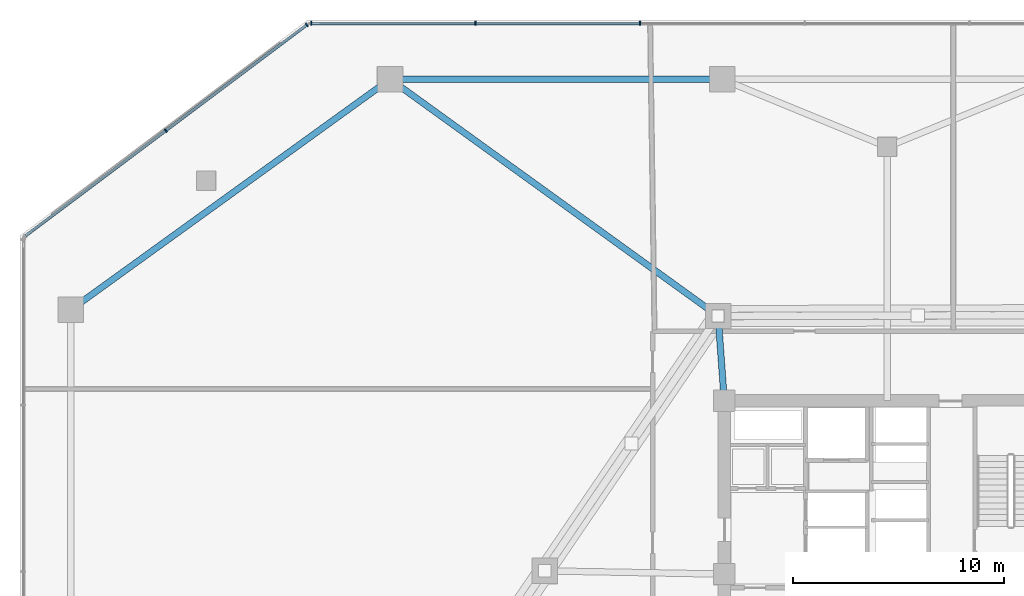
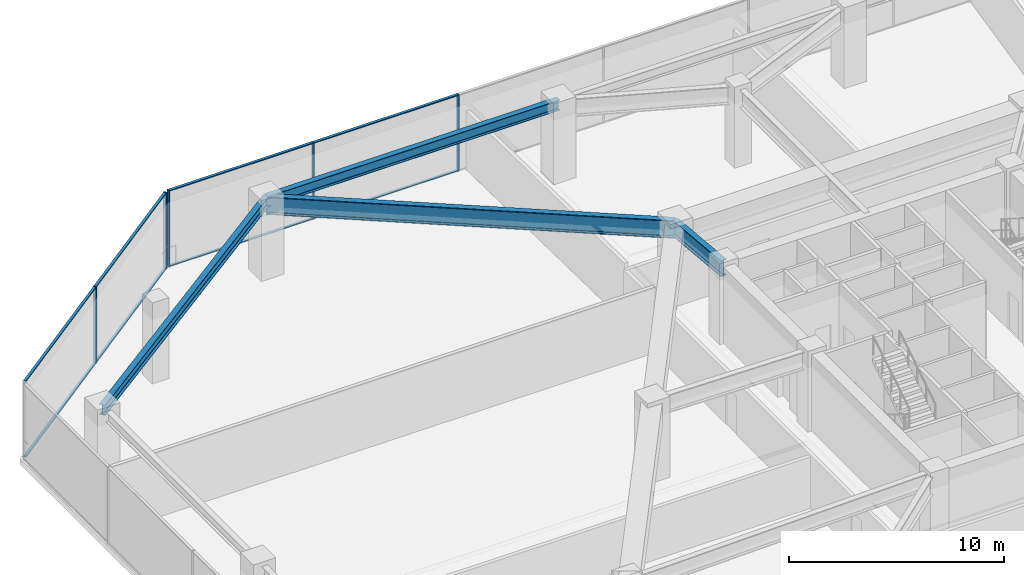
# One storey, part 8 of 23: 13 members, 4 beams, 2 elements without a shape of their own.
"""IFC4 building model written with IfcOpenShell, lengths in metres."""

from ifc_helpers import new_model, si_unit, direction, frame, origin, origin_2d, place, context, subcontext, project, spatial, rectangle, i_section, extrude, material, material_profile, profile_set, type_object, element, aggregate, save


model = new_model("IFC4")

# Units and contexts
model_context = context("Model", 3, precision=1e-05, world=origin(), true_north=direction((0.0, 1.0)))
body_context = subcontext(model_context, "Body", "Model", "MODEL_VIEW")
ifc_project = project(units=[si_unit("LENGTHUNIT", "METRE"), si_unit("AREAUNIT", "SQUARE_METRE"), si_unit("VOLUMEUNIT", "CUBIC_METRE"), si_unit("PLANEANGLEUNIT", "RADIAN"), si_unit("MASSUNIT", "GRAM", prefix="KILO")], contexts=[model_context])

# Site, building, storey
site_placement = place(None, origin())
site = spatial("IfcSite", under=ifc_project, at=site_placement, CompositionType="ELEMENT")
building_placement = place(site_placement, origin())
building = spatial("IfcBuilding", under=site, at=building_placement, Name="Savorim Split Tower", CompositionType="ELEMENT")
storey_placement = place(building_placement, frame((0.0, 0.0, 21.800048828125)))
storey = spatial("IfcBuildingStorey", under=building, at=storey_placement, Name="L05", CompositionType="ELEMENT", Elevation=21.800048828125)

# Beams
ifc_material_1 = material(Name="Steel S355", Category="steel")
ifc_material_profile_1 = material_profile(ifc_material_1, i_section(OverallWidth=0.300048828125, OverallDepth=0.590087890625, WebThickness=0.012939453125, FlangeThickness=0.02490234375, FilletRadius=0.027099609375, at=origin_2d()), Name="HEA 600")
ifc_profile_set_1 = profile_set([ifc_material_profile_1], Name="Steel S355")
beam_type_1 = type_object("IfcBeamType", Name="BM-SPN-HEA600", PredefinedType="SPANDREL", material=ifc_profile_set_1)
beam_1_placement = place(storey_placement, frame((-7.800048828125, 25.39990234375, 4.054931640625), z_axis=(-1.0, 0.0, 0.0), x_axis=(0.0, -1.0, 0.0)))
element("IfcBeam", 1, at=beam_1_placement, inside=storey, type_object=beam_type_1, Name="L05 Podium Spandrel Beam 8", PredefinedType="SPANDREL", context=body_context, shape_type="SweptSolid", body=[
    extrude(i_section(OverallWidth=0.300048828125, OverallDepth=0.590087890625, WebThickness=0.012939453125, FlangeThickness=0.02490234375, FilletRadius=0.027099609375, at=origin_2d()), origin(), (0.0, 0.0, 1.0), 15.699951171875),
])
beam_2_placement = place(storey_placement, frame((-23.5, 25.39990234375, 4.054931640625), z_axis=(-0.810825083438, -0.585288547699, 0.0), x_axis=(0.585288547699, -0.810825083438, 0.0)))
element("IfcBeam", 2, at=beam_2_placement, inside=storey, type_object=beam_type_1, Name="L05 Podium Spandrel Beam 9", PredefinedType="SPANDREL", context=body_context, shape_type="SweptSolid", body=[
    extrude(i_section(OverallWidth=0.300048828125, OverallDepth=0.590087890625, WebThickness=0.012939453125, FlangeThickness=0.02490234375, FilletRadius=0.027099609375, at=origin_2d()), origin(), (0.0, 0.0, 1.0), 18.623046875),
])
ifc_material_2 = material(Name="Steel S460", Category="steel")
ifc_material_profile_2 = material_profile(ifc_material_2, i_section(OverallWidth=0.302001953125, OverallDepth=1.008056640625, WebThickness=0.02099609375, FlangeThickness=0.0400390625, FilletRadius=0.030029296875, at=origin_2d()), Name="HE 1000 M")
ifc_profile_set_2 = profile_set([ifc_material_profile_2], Name="Steel S460")
beam_type_2 = type_object("IfcBeamType", Name="BM-TRF-HEM1000", PredefinedType="BEAM", material=ifc_profile_set_2)
beam_3_placement = place(storey_placement, frame((-23.5, 25.39990234375, 3.845947265625), z_axis=(0.810720623397, -0.585433233426, 0.0), x_axis=(0.585433233426, 0.810720623397, 0.0)))
element("IfcBeam", 3, at=beam_3_placement, inside=storey, type_object=beam_type_2, Name="L05 Podium Primary Girder BG-15", PredefinedType="BEAM", context=body_context, shape_type="SweptSolid", body=[
    extrude(i_section(OverallWidth=0.302001953125, OverallDepth=1.008056640625, WebThickness=0.02099609375, FlangeThickness=0.0400390625, FilletRadius=0.030029296875, at=origin_2d()), origin(), (0.0, 0.0, 1.0), 19.128173828125),
])
ifc_material_profile_3 = material_profile(ifc_material_2, i_section(OverallWidth=0.302001953125, OverallDepth=0.909912109375, WebThickness=0.02099609375, FlangeThickness=0.0400390625, FilletRadius=0.030029296875, at=origin_2d()), Name="HE 900 M")
ifc_profile_set_3 = profile_set([ifc_material_profile_3], Name="Steel S460")
beam_type_3 = type_object("IfcBeamType", Name="BM-TRF-HEM900", PredefinedType="BEAM", material=ifc_profile_set_3)
beam_4_placement = place(storey_placement, frame((-7.992431640625, 14.20166015625, 3.89501953125), z_axis=(0.072894449016, -0.997339660949, 0.0), x_axis=(0.997339660949, 0.072894449016, 0.0)))
element("IfcBeam", 4, at=beam_4_placement, inside=storey, type_object=beam_type_3, Name="L05 Radial Transfer Girder PC-W1", PredefinedType="BEAM", context=body_context, shape_type="SweptSolid", body=[
    extrude(i_section(OverallWidth=0.302001953125, OverallDepth=0.909912109375, WebThickness=0.02099609375, FlangeThickness=0.0400390625, FilletRadius=0.030029296875, at=origin_2d()), origin(), (0.0, 0.0, 1.0), 4.012451171875),
])

# Curtain wall, members
ifc_material_3 = material(Name="Dark Ceramic-Fritted Insulated Glass", Category="glass")
curtain_wall_type = type_object("IfcCurtainWallType", Name="CW-REFUGE-LVR", PredefinedType="NOTDEFINED", material=ifc_material_3)
curtain_wall_1_placement = place(storey_placement, origin())
curtain_wall_1 = element("IfcCurtainWall", 5, at=curtain_wall_1_placement, inside=storey, type_object=curtain_wall_type, Name="L05 Curtain Wall CW-L05-E08", PredefinedType="NOTDEFINED")
ifc_material_4 = material(Name="Charcoal Anodised Aluminium", Category="aluminium")
ifc_material_profile_4 = material_profile(ifc_material_4, rectangle(XDim=0.179931640625, YDim=0.06494140625, at=origin_2d()), Name="ALU-M 180x65")
ifc_profile_set_4 = profile_set([ifc_material_profile_4], Name="Charcoal Anodised Aluminium")
member_type_1 = type_object("IfcMemberType", Name="CWM-180x65", PredefinedType="MULLION", material=ifc_profile_set_4)
member_1_placement = place(storey_placement, frame((-11.682861328125, 28.0400390625, 0.0), z_axis=(0.0, 0.0, 1.0), x_axis=(0.0, -1.0, 0.0)))
member_1 = element("IfcMember", 6, at=member_1_placement, type_object=member_type_1, Name="CW-06 mullion 6", PredefinedType="MULLION", context=body_context, shape_type="SweptSolid", body=[
    extrude(rectangle(XDim=0.179931640625, YDim=0.06494140625, at=origin_2d()), origin(), (0.0, 0.0, 1.0), 4.349853515625),
])
member_2_placement = place(storey_placement, frame((-19.471435546875, 28.0400390625, 0.0), z_axis=(0.0, 0.0, 1.0), x_axis=(0.0, -1.0, 0.0)))
member_2 = element("IfcMember", 7, at=member_2_placement, type_object=member_type_1, Name="CW-06 mullion 7", PredefinedType="MULLION", context=body_context, shape_type="SweptSolid", body=[
    extrude(rectangle(XDim=0.179931640625, YDim=0.06494140625, at=origin_2d()), origin(), (0.0, 0.0, 1.0), 4.349853515625),
])
member_3_placement = place(storey_placement, frame((-27.2275390625, 28.0400390625, 0.0), z_axis=(0.0, 0.0, 1.0), x_axis=(0.0, -1.0, 0.0)))
member_3 = element("IfcMember", 8, at=member_3_placement, type_object=member_type_1, Name="CW-06 mullion 8", PredefinedType="MULLION", context=body_context, shape_type="SweptSolid", body=[
    extrude(rectangle(XDim=0.179931640625, YDim=0.06494140625, at=origin_2d()), origin(), (0.0, 0.0, 1.0), 4.349853515625),
])

curtain_wall_2_placement = place(storey_placement, origin())
curtain_wall_2 = element("IfcCurtainWall", 9, at=curtain_wall_2_placement, inside=storey, type_object=curtain_wall_type, Name="L05 Curtain Wall CW-L05-E09", PredefinedType="NOTDEFINED")
member_4_placement = place(storey_placement, frame((-27.44189453125, 27.968505859375, 0.0), z_axis=(0.0, 0.0, 1.0), x_axis=(0.600000000002, -0.799999999998, 0.0)))
member_4 = element("IfcMember", 10, at=member_4_placement, type_object=member_type_1, Name="CW-06 mullion 1", PredefinedType="MULLION", context=body_context, shape_type="SweptSolid", body=[
    extrude(rectangle(XDim=0.179931640625, YDim=0.06494140625, at=origin_2d()), origin(), (0.0, 0.0, 1.0), 4.349853515625),
])
member_5_placement = place(storey_placement, frame((-34.10400390625, 22.971923828125, 0.0), z_axis=(0.0, 0.0, 1.0), x_axis=(0.600000000002, -0.799999999998, 0.0)))
member_5 = element("IfcMember", 11, at=member_5_placement, type_object=member_type_1, Name="CW-06 mullion 2", PredefinedType="MULLION", context=body_context, shape_type="SweptSolid", body=[
    extrude(rectangle(XDim=0.179931640625, YDim=0.06494140625, at=origin_2d()), origin(), (0.0, 0.0, 1.0), 4.349853515625),
])

# Member
ifc_material_profile_5 = material_profile(ifc_material_4, rectangle(XDim=0.139892578125, YDim=0.054931640625, at=origin_2d()), Name="ALU-T 140x55")
ifc_profile_set_5 = profile_set([ifc_material_profile_5], Name="Charcoal Anodised Aluminium")
member_type_2 = type_object("IfcMemberType", Name="CWT-140x55", PredefinedType="USERDEFINED", material=ifc_profile_set_5)
member_6_placement = place(storey_placement, frame((-11.71533203125, 28.0400390625, 0.02734375), z_axis=(-1.0, 0.0, 0.0), x_axis=(0.0, -1.0, 0.0)))
member_6 = element("IfcMember", 12, at=member_6_placement, type_object=member_type_2, Name="CW-06 transom 6.1", ObjectType="TRANSOM", PredefinedType="USERDEFINED", context=body_context, shape_type="SweptSolid", body=[
    extrude(rectangle(XDim=0.139892578125, YDim=0.054931640625, at=origin_2d()), origin(), (0.0, 0.0, 1.0), 7.7236328125),
])

member_7_placement = place(storey_placement, frame((-11.71533203125, 28.0400390625, 4.322509765625), z_axis=(-1.0, 0.0, 0.0), x_axis=(0.0, -1.0, 0.0)))
member_7 = element("IfcMember", 13, at=member_7_placement, type_object=member_type_2, Name="CW-06 transom 6.2", ObjectType="TRANSOM", PredefinedType="USERDEFINED", context=body_context, shape_type="SweptSolid", body=[
    extrude(rectangle(XDim=0.139892578125, YDim=0.054931640625, at=origin_2d()), origin(), (0.0, 0.0, 1.0), 7.7236328125),
])

member_8_placement = place(storey_placement, frame((-19.50390625, 28.0400390625, 0.02734375), z_axis=(-1.0, 0.0, 0.0), x_axis=(0.0, -1.0, 0.0)))
member_8 = element("IfcMember", 14, at=member_8_placement, type_object=member_type_2, Name="CW-06 transom 7.1", ObjectType="TRANSOM", PredefinedType="USERDEFINED", context=body_context, shape_type="SweptSolid", body=[
    extrude(rectangle(XDim=0.139892578125, YDim=0.054931640625, at=origin_2d()), origin(), (0.0, 0.0, 1.0), 7.691162109375),
])

member_9_placement = place(storey_placement, frame((-19.50390625, 28.0400390625, 4.322509765625), z_axis=(-1.0, 0.0, 0.0), x_axis=(0.0, -1.0, 0.0)))
member_9 = element("IfcMember", 15, at=member_9_placement, type_object=member_type_2, Name="CW-06 transom 7.2", ObjectType="TRANSOM", PredefinedType="USERDEFINED", context=body_context, shape_type="SweptSolid", body=[
    extrude(rectangle(XDim=0.139892578125, YDim=0.054931640625, at=origin_2d()), origin(), (0.0, 0.0, 1.0), 7.691162109375),
])

aggregate(curtain_wall_1, [member_1, member_2, member_3, member_6, member_7, member_8, member_9])

member_10_placement = place(storey_placement, frame((-27.468017578125, 27.948974609375, 0.02734375), z_axis=(-0.799992908332, -0.60000945544, 0.0), x_axis=(0.60000945544, -0.799992908332, 0.0)))
member_10 = element("IfcMember", 16, at=member_10_placement, type_object=member_type_2, Name="CW-06 transom 1.1", ObjectType="TRANSOM", PredefinedType="USERDEFINED", context=body_context, shape_type="SweptSolid", body=[
    extrude(rectangle(XDim=0.139892578125, YDim=0.054931640625, at=origin_2d()), origin(), (0.0, 0.0, 1.0), 8.262451171875),
])

member_11_placement = place(storey_placement, frame((-27.468017578125, 27.948974609375, 4.322509765625), z_axis=(-0.799992908332, -0.60000945544, 0.0), x_axis=(0.60000945544, -0.799992908332, 0.0)))
member_11 = element("IfcMember", 17, at=member_11_placement, type_object=member_type_2, Name="CW-06 transom 1.2", ObjectType="TRANSOM", PredefinedType="USERDEFINED", context=body_context, shape_type="SweptSolid", body=[
    extrude(rectangle(XDim=0.139892578125, YDim=0.054931640625, at=origin_2d()), origin(), (0.0, 0.0, 1.0), 8.262451171875),
])

member_12_placement = place(storey_placement, frame((-34.1298828125, 22.952392578125, 0.02734375), z_axis=(-0.800017728575, -0.599976361172, 0.0), x_axis=(0.599976361172, -0.800017728575, 0.0)))
member_12 = element("IfcMember", 18, at=member_12_placement, type_object=member_type_2, Name="CW-06 transom 2.1", ObjectType="TRANSOM", PredefinedType="USERDEFINED", context=body_context, shape_type="SweptSolid", body=[
    extrude(rectangle(XDim=0.139892578125, YDim=0.054931640625, at=origin_2d()), origin(), (0.0, 0.0, 1.0), 8.262451171875),
])

member_13_placement = place(storey_placement, frame((-34.1298828125, 22.952392578125, 4.322509765625), z_axis=(-0.800017728575, -0.599976361172, 0.0), x_axis=(0.599976361172, -0.800017728575, 0.0)))
member_13 = element("IfcMember", 19, at=member_13_placement, type_object=member_type_2, Name="CW-06 transom 2.2", ObjectType="TRANSOM", PredefinedType="USERDEFINED", context=body_context, shape_type="SweptSolid", body=[
    extrude(rectangle(XDim=0.139892578125, YDim=0.054931640625, at=origin_2d()), origin(), (0.0, 0.0, 1.0), 8.262451171875),
])

aggregate(curtain_wall_2, [member_4, member_5, member_10, member_11, member_12, member_13])

save(model, "model.ifc")
